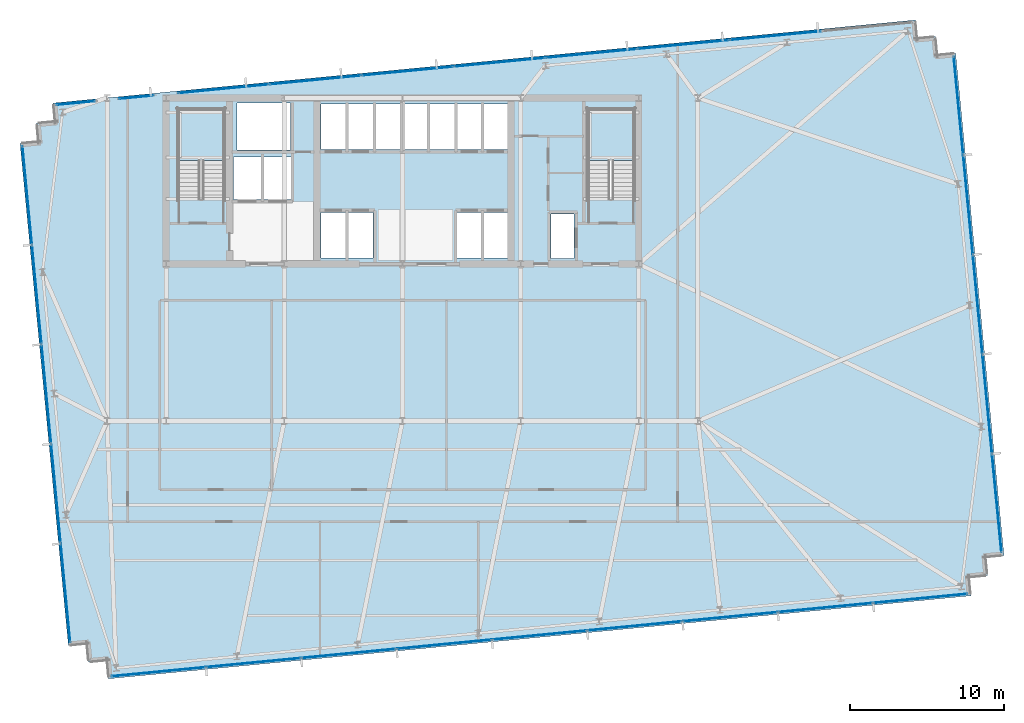
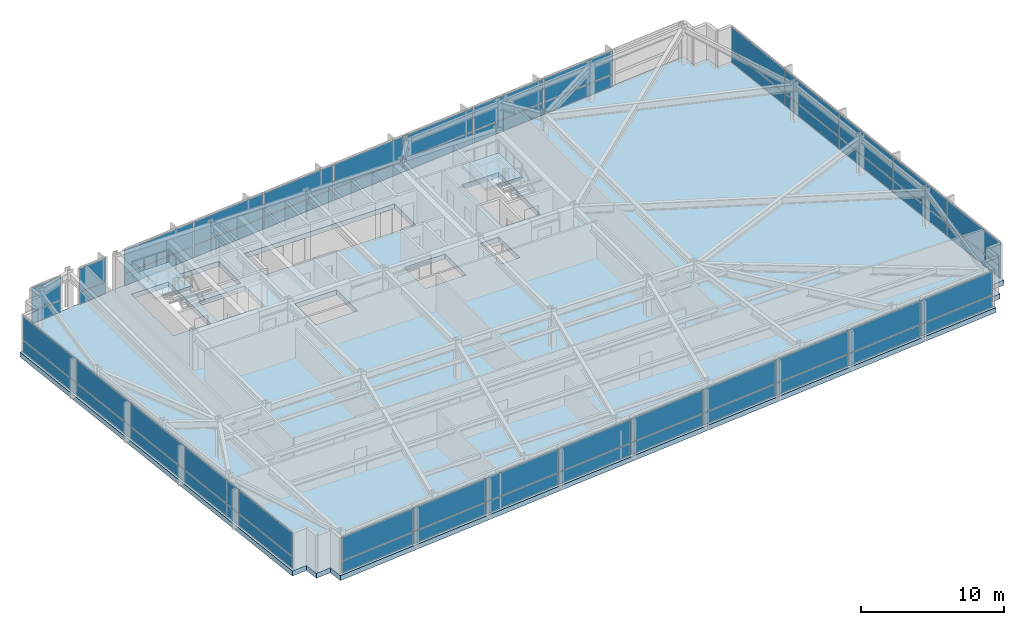
# One storey, part 24 of 33: 56 plates, 3 slabs, 8 elements without a shape of their own.
"""IFC4 building model written with IfcOpenShell, lengths in metres."""

from ifc_helpers import new_model, si_unit, direction, frame, origin, origin_2d, place, context, subcontext, project, spatial, polyline, rectangle, outline, extrude, material, layer, layer_set, type_object, element, aggregate, save


model = new_model("IFC4")

# Units and contexts
model_context = context("Model", 3, precision=1e-05, world=origin(), true_north=direction((0.0, 1.0)))
body_context = subcontext(model_context, "Body", "Model", "MODEL_VIEW")
ifc_project = project(units=[si_unit("LENGTHUNIT", "METRE"), si_unit("AREAUNIT", "SQUARE_METRE"), si_unit("VOLUMEUNIT", "CUBIC_METRE"), si_unit("PLANEANGLEUNIT", "RADIAN"), si_unit("MASSUNIT", "GRAM", prefix="KILO")], contexts=[model_context])

# Site, building, storey
site_placement = place(None, origin())
site = spatial("IfcSite", under=ifc_project, at=site_placement, CompositionType="ELEMENT")
building_placement = place(site_placement, origin())
building = spatial("IfcBuilding", under=site, at=building_placement, Name="Yelkora Congress Tower", CompositionType="ELEMENT")
storey_placement = place(building_placement, frame((0.0, 0.0, 89.699951171875)))
storey = spatial("IfcBuildingStorey", under=building, at=storey_placement, Name="L23", CompositionType="ELEMENT", Elevation=89.699951171875)

# Curtain wall, plates
ifc_material_1 = material(Name="Anodised aluminium and insulated glass", Category="aluminium")
curtain_wall_type = type_object("IfcCurtainWallType", Name="CW-SYS-SKY", PredefinedType="NOTDEFINED", material=ifc_material_1)
curtain_wall_1_placement = place(storey_placement, origin())
curtain_wall_1 = element("IfcCurtainWall", 1, at=curtain_wall_1_placement, inside=storey, type_object=curtain_wall_type, Name="L23 Unitised Curtain Wall 5", PredefinedType="NOTDEFINED")
ifc_material_2 = material(Name="Structural laminated sky-lobby glass", Category="glass")
ifc_layer_1 = layer(ifc_material_2, 0.048095703125)
ifc_layer_set_1 = layer_set([ifc_layer_1], Name="Structural laminated sky-lobby glass")
plate_type = type_object("IfcPlateType", Name="PLT-PN-SKY", PredefinedType="CURTAIN_PANEL", material=ifc_layer_set_1)
plate_1_placement = place(storey_placement, frame((16.494140625, 14.01220703125, 0.070068359375), z_axis=(0.0, 0.0, 1.0), x_axis=(-0.095842541913, 0.995396507508, 0.0)))
plate_1 = element("IfcPlate", 2, at=plate_1_placement, type_object=plate_type, Name="CW-SKY panel 1.1", PredefinedType="CURTAIN_PANEL", context=body_context, shape_type="SweptSolid", body=[
    extrude(rectangle(XDim=6.3916015625, YDim=0.048095703125, at=origin_2d()), origin(), (0.0, 0.0, 1.0), 0.9951171875),
])
plate_2_placement = place(storey_placement, frame((16.494140625, 14.01220703125, 1.135009765625), z_axis=(0.0, 0.0, 1.0), x_axis=(-0.095842541913, 0.995396507508, 0.0)))
plate_2 = element("IfcPlate", 3, at=plate_2_placement, type_object=plate_type, Name="CW-SKY panel 1.2", PredefinedType="CURTAIN_PANEL", context=body_context, shape_type="SweptSolid", body=[
    extrude(rectangle(XDim=6.3916015625, YDim=0.048095703125, at=origin_2d()), origin(), (0.0, 0.0, 1.0), 1.97509765625),
])
plate_3_placement = place(storey_placement, frame((15.87255859375, 20.467529296875, 0.070068359375), z_axis=(0.0, 0.0, 1.0), x_axis=(-0.095842541913, 0.995396507508, 0.0)))
plate_3 = element("IfcPlate", 4, at=plate_3_placement, type_object=plate_type, Name="CW-SKY panel 2.1", PredefinedType="CURTAIN_PANEL", context=body_context, shape_type="SweptSolid", body=[
    extrude(rectangle(XDim=6.428955078125, YDim=0.048095703125, at=origin_2d()), origin(), (0.0, 0.0, 1.0), 0.9951171875),
])
plate_4_placement = place(storey_placement, frame((15.87255859375, 20.467529296875, 1.135009765625), z_axis=(0.0, 0.0, 1.0), x_axis=(-0.095842541913, 0.995396507508, 0.0)))
plate_4 = element("IfcPlate", 5, at=plate_4_placement, type_object=plate_type, Name="CW-SKY panel 2.2", PredefinedType="CURTAIN_PANEL", context=body_context, shape_type="SweptSolid", body=[
    extrude(rectangle(XDim=6.428955078125, YDim=0.048095703125, at=origin_2d()), origin(), (0.0, 0.0, 1.0), 1.97509765625),
])
plate_5_placement = place(storey_placement, frame((15.249267578125, 26.941650390625, 0.070068359375), z_axis=(0.0, 0.0, 1.0), x_axis=(-0.095842541913, 0.995396507508, 0.0)))
plate_5 = element("IfcPlate", 6, at=plate_5_placement, type_object=plate_type, Name="CW-SKY panel 3.1", PredefinedType="CURTAIN_PANEL", context=body_context, shape_type="SweptSolid", body=[
    extrude(rectangle(XDim=6.428955078125, YDim=0.048095703125, at=origin_2d()), origin(), (0.0, 0.0, 1.0), 0.9951171875),
])
plate_6_placement = place(storey_placement, frame((15.249267578125, 26.941650390625, 1.135009765625), z_axis=(0.0, 0.0, 1.0), x_axis=(-0.095842541913, 0.995396507508, 0.0)))
plate_6 = element("IfcPlate", 7, at=plate_6_placement, type_object=plate_type, Name="CW-SKY panel 3.2", PredefinedType="CURTAIN_PANEL", context=body_context, shape_type="SweptSolid", body=[
    extrude(rectangle(XDim=6.428955078125, YDim=0.048095703125, at=origin_2d()), origin(), (0.0, 0.0, 1.0), 1.97509765625),
])
plate_7_placement = place(storey_placement, frame((14.6259765625, 33.41552734375, 0.070068359375), z_axis=(0.0, 0.0, 1.0), x_axis=(-0.095842541913, 0.995396507508, 0.0)))
plate_7 = element("IfcPlate", 8, at=plate_7_placement, type_object=plate_type, Name="CW-SKY panel 4.1", PredefinedType="CURTAIN_PANEL", context=body_context, shape_type="SweptSolid", body=[
    extrude(rectangle(XDim=6.428955078125, YDim=0.048095703125, at=origin_2d()), origin(), (0.0, 0.0, 1.0), 0.9951171875),
])
plate_8_placement = place(storey_placement, frame((14.6259765625, 33.41552734375, 1.135009765625), z_axis=(0.0, 0.0, 1.0), x_axis=(-0.095842541913, 0.995396507508, 0.0)))
plate_8 = element("IfcPlate", 9, at=plate_8_placement, type_object=plate_type, Name="CW-SKY panel 4.2", PredefinedType="CURTAIN_PANEL", context=body_context, shape_type="SweptSolid", body=[
    extrude(rectangle(XDim=6.428955078125, YDim=0.048095703125, at=origin_2d()), origin(), (0.0, 0.0, 1.0), 1.97509765625),
])
plate_9_placement = place(storey_placement, frame((14.00439453125, 39.87109375, 0.070068359375), z_axis=(0.0, 0.0, 1.0), x_axis=(-0.095842541913, 0.995396507508, 0.0)))
plate_9 = element("IfcPlate", 10, at=plate_9_placement, type_object=plate_type, Name="CW-SKY panel 5.1", PredefinedType="CURTAIN_PANEL", context=body_context, shape_type="SweptSolid", body=[
    extrude(rectangle(XDim=6.3916015625, YDim=0.048095703125, at=origin_2d()), origin(), (0.0, 0.0, 1.0), 0.9951171875),
])
plate_10_placement = place(storey_placement, frame((14.00439453125, 39.87109375, 1.135009765625), z_axis=(0.0, 0.0, 1.0), x_axis=(-0.095842541913, 0.995396507508, 0.0)))
plate_10 = element("IfcPlate", 11, at=plate_10_placement, type_object=plate_type, Name="CW-SKY panel 5.2", PredefinedType="CURTAIN_PANEL", context=body_context, shape_type="SweptSolid", body=[
    extrude(rectangle(XDim=6.3916015625, YDim=0.048095703125, at=origin_2d()), origin(), (0.0, 0.0, 1.0), 1.97509765625),
])
aggregate(curtain_wall_1, [plate_1, plate_2, plate_3, plate_4, plate_5, plate_6, plate_7, plate_8, plate_9, plate_10])

curtain_wall_2_placement = place(storey_placement, origin())
curtain_wall_2 = element("IfcCurtainWall", 12, at=curtain_wall_2_placement, inside=storey, type_object=curtain_wall_type, Name="L23 Unitised Curtain Wall 10 (1)", PredefinedType="NOTDEFINED")
plate_11_placement = place(storey_placement, frame((17.164794921875, 45.872314453125, 0.070068359375), z_axis=(0.0, 0.0, 1.0), x_axis=(0.995398344772, 0.095823458635, 0.0)))
plate_11 = element("IfcPlate", 13, at=plate_11_placement, type_object=plate_type, Name="CW-SKY panel 1.1", PredefinedType="CURTAIN_PANEL", context=body_context, shape_type="SweptSolid", body=[
    extrude(rectangle(XDim=2.492431640625, YDim=0.048095703125, at=origin_2d()), origin(), (0.0, 0.0, 1.0), 0.9951171875),
])
plate_12_placement = place(storey_placement, frame((17.164794921875, 45.872314453125, 1.135009765625), z_axis=(0.0, 0.0, 1.0), x_axis=(0.995398344772, 0.095823458635, 0.0)))
plate_12 = element("IfcPlate", 14, at=plate_12_placement, type_object=plate_type, Name="CW-SKY panel 1.2", PredefinedType="CURTAIN_PANEL", context=body_context, shape_type="SweptSolid", body=[
    extrude(rectangle(XDim=2.492431640625, YDim=0.048095703125, at=origin_2d()), origin(), (0.0, 0.0, 1.0), 1.97509765625),
])
aggregate(curtain_wall_2, [plate_11, plate_12])

curtain_wall_3_placement = place(storey_placement, origin())
curtain_wall_3 = element("IfcCurtainWall", 15, at=curtain_wall_3_placement, inside=storey, type_object=curtain_wall_type, Name="L23 Unitised Curtain Wall 10 (2)", PredefinedType="NOTDEFINED")
plate_13_placement = place(storey_placement, frame((21.1201171875, 46.253173828125, 0.070068359375), z_axis=(0.0, 0.0, 1.0), x_axis=(0.9953959497, 0.09584833499, 0.0)))
plate_13 = element("IfcPlate", 16, at=plate_13_placement, type_object=plate_type, Name="CW-SKY panel 1.1", PredefinedType="CURTAIN_PANEL", context=body_context, shape_type="SweptSolid", body=[
    extrude(rectangle(XDim=2.260986328125, YDim=0.048095703125, at=origin_2d()), origin(), (0.0, 0.0, 1.0), 0.9951171875),
])
plate_14_placement = place(storey_placement, frame((21.1201171875, 46.253173828125, 1.135009765625), z_axis=(0.0, 0.0, 1.0), x_axis=(0.9953959497, 0.09584833499, 0.0)))
plate_14 = element("IfcPlate", 17, at=plate_14_placement, type_object=plate_type, Name="CW-SKY panel 1.2", PredefinedType="CURTAIN_PANEL", context=body_context, shape_type="SweptSolid", body=[
    extrude(rectangle(XDim=2.260986328125, YDim=0.048095703125, at=origin_2d()), origin(), (0.0, 0.0, 1.0), 1.97509765625),
])
aggregate(curtain_wall_3, [plate_13, plate_14])

curtain_wall_4_placement = place(storey_placement, origin())
curtain_wall_4 = element("IfcCurtainWall", 18, at=curtain_wall_4_placement, inside=storey, type_object=curtain_wall_type, Name="L23 Unitised Curtain Wall 10 (3)", PredefinedType="NOTDEFINED")
plate_15_placement = place(storey_placement, frame((26.769287109375, 46.797119140625, 0.070068359375), z_axis=(0.0, 0.0, 1.0), x_axis=(0.995396225964, 0.095845465919, 0.0)))
plate_15 = element("IfcPlate", 19, at=plate_15_placement, type_object=plate_type, Name="CW-SKY panel 1.1", PredefinedType="CURTAIN_PANEL", context=body_context, shape_type="SweptSolid", body=[
    extrude(rectangle(XDim=5.896728515625, YDim=0.048095703125, at=origin_2d()), origin(), (0.0, 0.0, 1.0), 0.9951171875),
])
plate_16_placement = place(storey_placement, frame((26.769287109375, 46.797119140625, 1.135009765625), z_axis=(0.0, 0.0, 1.0), x_axis=(0.995396225964, 0.095845465919, 0.0)))
plate_16 = element("IfcPlate", 20, at=plate_16_placement, type_object=plate_type, Name="CW-SKY panel 1.2", PredefinedType="CURTAIN_PANEL", context=body_context, shape_type="SweptSolid", body=[
    extrude(rectangle(XDim=5.896728515625, YDim=0.048095703125, at=origin_2d()), origin(), (0.0, 0.0, 1.0), 1.97509765625),
])
plate_17_placement = place(storey_placement, frame((32.732177734375, 47.371337890625, 0.070068359375), z_axis=(0.0, 0.0, 1.0), x_axis=(0.995396225964, 0.095845465919, 0.0)))
plate_17 = element("IfcPlate", 21, at=plate_17_placement, type_object=plate_type, Name="CW-SKY panel 2.1", PredefinedType="CURTAIN_PANEL", context=body_context, shape_type="SweptSolid", body=[
    extrude(rectangle(XDim=5.93408203125, YDim=0.048095703125, at=origin_2d()), origin(), (0.0, 0.0, 1.0), 0.9951171875),
])
plate_18_placement = place(storey_placement, frame((32.732177734375, 47.371337890625, 1.135009765625), z_axis=(0.0, 0.0, 1.0), x_axis=(0.995396225964, 0.095845465919, 0.0)))
plate_18 = element("IfcPlate", 22, at=plate_18_placement, type_object=plate_type, Name="CW-SKY panel 2.2", PredefinedType="CURTAIN_PANEL", context=body_context, shape_type="SweptSolid", body=[
    extrude(rectangle(XDim=5.93408203125, YDim=0.048095703125, at=origin_2d()), origin(), (0.0, 0.0, 1.0), 1.97509765625),
])
plate_19_placement = place(storey_placement, frame((38.713623046875, 47.947265625, 0.070068359375), z_axis=(0.0, 0.0, 1.0), x_axis=(0.995396225964, 0.095845465919, 0.0)))
plate_19 = element("IfcPlate", 23, at=plate_19_placement, type_object=plate_type, Name="CW-SKY panel 3.1", PredefinedType="CURTAIN_PANEL", context=body_context, shape_type="SweptSolid", body=[
    extrude(rectangle(XDim=5.93408203125, YDim=0.048095703125, at=origin_2d()), origin(), (0.0, 0.0, 1.0), 0.9951171875),
])
plate_20_placement = place(storey_placement, frame((38.713623046875, 47.947265625, 1.135009765625), z_axis=(0.0, 0.0, 1.0), x_axis=(0.995396225964, 0.095845465919, 0.0)))
plate_20 = element("IfcPlate", 24, at=plate_20_placement, type_object=plate_type, Name="CW-SKY panel 3.2", PredefinedType="CURTAIN_PANEL", context=body_context, shape_type="SweptSolid", body=[
    extrude(rectangle(XDim=5.93408203125, YDim=0.048095703125, at=origin_2d()), origin(), (0.0, 0.0, 1.0), 1.97509765625),
])
plate_21_placement = place(storey_placement, frame((44.6953125, 48.523193359375, 0.070068359375), z_axis=(0.0, 0.0, 1.0), x_axis=(0.995396225964, 0.095845465919, 0.0)))
plate_21 = element("IfcPlate", 25, at=plate_21_placement, type_object=plate_type, Name="CW-SKY panel 4.1", PredefinedType="CURTAIN_PANEL", context=body_context, shape_type="SweptSolid", body=[
    extrude(rectangle(XDim=5.93408203125, YDim=0.048095703125, at=origin_2d()), origin(), (0.0, 0.0, 1.0), 0.9951171875),
])
plate_22_placement = place(storey_placement, frame((44.6953125, 48.523193359375, 1.135009765625), z_axis=(0.0, 0.0, 1.0), x_axis=(0.995396225964, 0.095845465919, 0.0)))
plate_22 = element("IfcPlate", 26, at=plate_22_placement, type_object=plate_type, Name="CW-SKY panel 4.2", PredefinedType="CURTAIN_PANEL", context=body_context, shape_type="SweptSolid", body=[
    extrude(rectangle(XDim=5.93408203125, YDim=0.048095703125, at=origin_2d()), origin(), (0.0, 0.0, 1.0), 1.97509765625),
])
plate_23_placement = place(storey_placement, frame((50.6767578125, 49.09912109375, 0.070068359375), z_axis=(0.0, 0.0, 1.0), x_axis=(0.995396225964, 0.095845465919, 0.0)))
plate_23 = element("IfcPlate", 27, at=plate_23_placement, type_object=plate_type, Name="CW-SKY panel 5.1", PredefinedType="CURTAIN_PANEL", context=body_context, shape_type="SweptSolid", body=[
    extrude(rectangle(XDim=5.93408203125, YDim=0.048095703125, at=origin_2d()), origin(), (0.0, 0.0, 1.0), 0.9951171875),
])
plate_24_placement = place(storey_placement, frame((50.6767578125, 49.09912109375, 1.135009765625), z_axis=(0.0, 0.0, 1.0), x_axis=(0.995396225964, 0.095845465919, 0.0)))
plate_24 = element("IfcPlate", 28, at=plate_24_placement, type_object=plate_type, Name="CW-SKY panel 5.2", PredefinedType="CURTAIN_PANEL", context=body_context, shape_type="SweptSolid", body=[
    extrude(rectangle(XDim=5.93408203125, YDim=0.048095703125, at=origin_2d()), origin(), (0.0, 0.0, 1.0), 1.97509765625),
])
plate_25_placement = place(storey_placement, frame((56.658203125, 49.675048828125, 0.070068359375), z_axis=(0.0, 0.0, 1.0), x_axis=(0.995396225964, 0.095845465919, 0.0)))
plate_25 = element("IfcPlate", 29, at=plate_25_placement, type_object=plate_type, Name="CW-SKY panel 6.1", PredefinedType="CURTAIN_PANEL", context=body_context, shape_type="SweptSolid", body=[
    extrude(rectangle(XDim=5.93408203125, YDim=0.048095703125, at=origin_2d()), origin(), (0.0, 0.0, 1.0), 0.9951171875),
])
plate_26_placement = place(storey_placement, frame((56.658203125, 49.675048828125, 1.135009765625), z_axis=(0.0, 0.0, 1.0), x_axis=(0.995396225964, 0.095845465919, 0.0)))
plate_26 = element("IfcPlate", 30, at=plate_26_placement, type_object=plate_type, Name="CW-SKY panel 6.2", PredefinedType="CURTAIN_PANEL", context=body_context, shape_type="SweptSolid", body=[
    extrude(rectangle(XDim=5.93408203125, YDim=0.048095703125, at=origin_2d()), origin(), (0.0, 0.0, 1.0), 1.97509765625),
])
plate_27_placement = place(storey_placement, frame((62.6396484375, 50.2509765625, 0.070068359375), z_axis=(0.0, 0.0, 1.0), x_axis=(0.995396225964, 0.095845465919, 0.0)))
plate_27 = element("IfcPlate", 31, at=plate_27_placement, type_object=plate_type, Name="CW-SKY panel 7.1", PredefinedType="CURTAIN_PANEL", context=body_context, shape_type="SweptSolid", body=[
    extrude(rectangle(XDim=5.93408203125, YDim=0.048095703125, at=origin_2d()), origin(), (0.0, 0.0, 1.0), 0.9951171875),
])
plate_28_placement = place(storey_placement, frame((62.6396484375, 50.2509765625, 1.135009765625), z_axis=(0.0, 0.0, 1.0), x_axis=(0.995396225964, 0.095845465919, 0.0)))
plate_28 = element("IfcPlate", 32, at=plate_28_placement, type_object=plate_type, Name="CW-SKY panel 7.2", PredefinedType="CURTAIN_PANEL", context=body_context, shape_type="SweptSolid", body=[
    extrude(rectangle(XDim=5.93408203125, YDim=0.048095703125, at=origin_2d()), origin(), (0.0, 0.0, 1.0), 1.97509765625),
])
aggregate(curtain_wall_4, [plate_15, plate_16, plate_17, plate_18, plate_19, plate_20, plate_21, plate_22, plate_23, plate_24, plate_25, plate_26, plate_27, plate_28])

curtain_wall_5_placement = place(storey_placement, origin())
curtain_wall_5 = element("IfcCurtainWall", 33, at=curtain_wall_5_placement, inside=storey, type_object=curtain_wall_type, Name="L23 Unitised Curtain Wall 15", PredefinedType="NOTDEFINED")
plate_29_placement = place(storey_placement, frame((74.54443359375, 45.7001953125, 0.070068359375), z_axis=(0.0, 0.0, 1.0), x_axis=(0.095842541913, -0.995396507508, 0.0)))
plate_29 = element("IfcPlate", 34, at=plate_29_placement, type_object=plate_type, Name="CW-SKY panel 1.1", PredefinedType="CURTAIN_PANEL", context=body_context, shape_type="SweptSolid", body=[
    extrude(rectangle(XDim=6.3916015625, YDim=0.048095703125, at=origin_2d()), origin(), (0.0, 0.0, 1.0), 0.9951171875),
])
plate_30_placement = place(storey_placement, frame((74.54443359375, 45.7001953125, 1.135009765625), z_axis=(0.0, 0.0, 1.0), x_axis=(0.095842541913, -0.995396507508, 0.0)))
plate_30 = element("IfcPlate", 35, at=plate_30_placement, type_object=plate_type, Name="CW-SKY panel 1.2", PredefinedType="CURTAIN_PANEL", context=body_context, shape_type="SweptSolid", body=[
    extrude(rectangle(XDim=6.3916015625, YDim=0.048095703125, at=origin_2d()), origin(), (0.0, 0.0, 1.0), 1.97509765625),
])
plate_31_placement = place(storey_placement, frame((75.166015625, 39.244873046875, 0.070068359375), z_axis=(0.0, 0.0, 1.0), x_axis=(0.095842541913, -0.995396507508, 0.0)))
plate_31 = element("IfcPlate", 36, at=plate_31_placement, type_object=plate_type, Name="CW-SKY panel 2.1", PredefinedType="CURTAIN_PANEL", context=body_context, shape_type="SweptSolid", body=[
    extrude(rectangle(XDim=6.428955078125, YDim=0.048095703125, at=origin_2d()), origin(), (0.0, 0.0, 1.0), 0.9951171875),
])
plate_32_placement = place(storey_placement, frame((75.166015625, 39.244873046875, 1.135009765625), z_axis=(0.0, 0.0, 1.0), x_axis=(0.095842541913, -0.995396507508, 0.0)))
plate_32 = element("IfcPlate", 37, at=plate_32_placement, type_object=plate_type, Name="CW-SKY panel 2.2", PredefinedType="CURTAIN_PANEL", context=body_context, shape_type="SweptSolid", body=[
    extrude(rectangle(XDim=6.428955078125, YDim=0.048095703125, at=origin_2d()), origin(), (0.0, 0.0, 1.0), 1.97509765625),
])
plate_33_placement = place(storey_placement, frame((75.789306640625, 32.770751953125, 0.070068359375), z_axis=(0.0, 0.0, 1.0), x_axis=(0.095842541913, -0.995396507508, 0.0)))
plate_33 = element("IfcPlate", 38, at=plate_33_placement, type_object=plate_type, Name="CW-SKY panel 3.1", PredefinedType="CURTAIN_PANEL", context=body_context, shape_type="SweptSolid", body=[
    extrude(rectangle(XDim=6.428955078125, YDim=0.048095703125, at=origin_2d()), origin(), (0.0, 0.0, 1.0), 0.9951171875),
])
plate_34_placement = place(storey_placement, frame((75.789306640625, 32.770751953125, 1.135009765625), z_axis=(0.0, 0.0, 1.0), x_axis=(0.095842541913, -0.995396507508, 0.0)))
plate_34 = element("IfcPlate", 39, at=plate_34_placement, type_object=plate_type, Name="CW-SKY panel 3.2", PredefinedType="CURTAIN_PANEL", context=body_context, shape_type="SweptSolid", body=[
    extrude(rectangle(XDim=6.428955078125, YDim=0.048095703125, at=origin_2d()), origin(), (0.0, 0.0, 1.0), 1.97509765625),
])
plate_35_placement = place(storey_placement, frame((76.41259765625, 26.296875, 0.070068359375), z_axis=(0.0, 0.0, 1.0), x_axis=(0.095842541913, -0.995396507508, 0.0)))
plate_35 = element("IfcPlate", 40, at=plate_35_placement, type_object=plate_type, Name="CW-SKY panel 4.1", PredefinedType="CURTAIN_PANEL", context=body_context, shape_type="SweptSolid", body=[
    extrude(rectangle(XDim=6.428955078125, YDim=0.048095703125, at=origin_2d()), origin(), (0.0, 0.0, 1.0), 0.9951171875),
])
plate_36_placement = place(storey_placement, frame((76.41259765625, 26.296875, 1.135009765625), z_axis=(0.0, 0.0, 1.0), x_axis=(0.095842541913, -0.995396507508, 0.0)))
plate_36 = element("IfcPlate", 41, at=plate_36_placement, type_object=plate_type, Name="CW-SKY panel 4.2", PredefinedType="CURTAIN_PANEL", context=body_context, shape_type="SweptSolid", body=[
    extrude(rectangle(XDim=6.428955078125, YDim=0.048095703125, at=origin_2d()), origin(), (0.0, 0.0, 1.0), 1.97509765625),
])
plate_37_placement = place(storey_placement, frame((77.0341796875, 19.84130859375, 0.070068359375), z_axis=(0.0, 0.0, 1.0), x_axis=(0.095842541913, -0.995396507508, 0.0)))
plate_37 = element("IfcPlate", 42, at=plate_37_placement, type_object=plate_type, Name="CW-SKY panel 5.1", PredefinedType="CURTAIN_PANEL", context=body_context, shape_type="SweptSolid", body=[
    extrude(rectangle(XDim=6.3916015625, YDim=0.048095703125, at=origin_2d()), origin(), (0.0, 0.0, 1.0), 0.9951171875),
])
plate_38_placement = place(storey_placement, frame((77.0341796875, 19.84130859375, 1.135009765625), z_axis=(0.0, 0.0, 1.0), x_axis=(0.095842541913, -0.995396507508, 0.0)))
plate_38 = element("IfcPlate", 43, at=plate_38_placement, type_object=plate_type, Name="CW-SKY panel 5.2", PredefinedType="CURTAIN_PANEL", context=body_context, shape_type="SweptSolid", body=[
    extrude(rectangle(XDim=6.3916015625, YDim=0.048095703125, at=origin_2d()), origin(), (0.0, 0.0, 1.0), 1.97509765625),
])
aggregate(curtain_wall_5, [plate_29, plate_30, plate_31, plate_32, plate_33, plate_34, plate_35, plate_36, plate_37, plate_38])

curtain_wall_6_placement = place(storey_placement, origin())
curtain_wall_6 = element("IfcCurtainWall", 44, at=curtain_wall_6_placement, inside=storey, type_object=curtain_wall_type, Name="L23 Unitised Curtain Wall 20", PredefinedType="NOTDEFINED")
plate_39_placement = place(storey_placement, frame((72.072265625, 13.66650390625, 0.070068359375), z_axis=(0.0, 0.0, 1.0), x_axis=(-0.995396333816, -0.095844345816, 0.0)))
plate_39 = element("IfcPlate", 45, at=plate_39_placement, type_object=plate_type, Name="CW-SKY panel 1.1", PredefinedType="CURTAIN_PANEL", context=body_context, shape_type="SweptSolid", body=[
    extrude(rectangle(XDim=6.112060546875, YDim=0.048095703125, at=origin_2d()), origin(), (0.0, 0.0, 1.0), 0.9951171875),
])
plate_40_placement = place(storey_placement, frame((72.072265625, 13.66650390625, 1.135009765625), z_axis=(0.0, 0.0, 1.0), x_axis=(-0.995396333816, -0.095844345816, 0.0)))
plate_40 = element("IfcPlate", 46, at=plate_40_placement, type_object=plate_type, Name="CW-SKY panel 1.2", PredefinedType="CURTAIN_PANEL", context=body_context, shape_type="SweptSolid", body=[
    extrude(rectangle(XDim=6.112060546875, YDim=0.048095703125, at=origin_2d()), origin(), (0.0, 0.0, 1.0), 1.97509765625),
])
plate_41_placement = place(storey_placement, frame((65.89501953125, 13.07177734375, 0.070068359375), z_axis=(0.0, 0.0, 1.0), x_axis=(-0.995396333816, -0.095844345816, 0.0)))
plate_41 = element("IfcPlate", 47, at=plate_41_placement, type_object=plate_type, Name="CW-SKY panel 2.1", PredefinedType="CURTAIN_PANEL", context=body_context, shape_type="SweptSolid", body=[
    extrude(rectangle(XDim=6.1494140625, YDim=0.048095703125, at=origin_2d()), origin(), (0.0, 0.0, 1.0), 0.9951171875),
])
plate_42_placement = place(storey_placement, frame((65.89501953125, 13.07177734375, 1.135009765625), z_axis=(0.0, 0.0, 1.0), x_axis=(-0.995396333816, -0.095844345816, 0.0)))
plate_42 = element("IfcPlate", 48, at=plate_42_placement, type_object=plate_type, Name="CW-SKY panel 2.2", PredefinedType="CURTAIN_PANEL", context=body_context, shape_type="SweptSolid", body=[
    extrude(rectangle(XDim=6.1494140625, YDim=0.048095703125, at=origin_2d()), origin(), (0.0, 0.0, 1.0), 1.97509765625),
])
plate_43_placement = place(storey_placement, frame((59.69921875, 12.475341796875, 0.070068359375), z_axis=(0.0, 0.0, 1.0), x_axis=(-0.995396333816, -0.095844345816, 0.0)))
plate_43 = element("IfcPlate", 49, at=plate_43_placement, type_object=plate_type, Name="CW-SKY panel 3.1", PredefinedType="CURTAIN_PANEL", context=body_context, shape_type="SweptSolid", body=[
    extrude(rectangle(XDim=6.1494140625, YDim=0.048095703125, at=origin_2d()), origin(), (0.0, 0.0, 1.0), 0.9951171875),
])
plate_44_placement = place(storey_placement, frame((59.69921875, 12.475341796875, 1.135009765625), z_axis=(0.0, 0.0, 1.0), x_axis=(-0.995396333816, -0.095844345816, 0.0)))
plate_44 = element("IfcPlate", 50, at=plate_44_placement, type_object=plate_type, Name="CW-SKY panel 3.2", PredefinedType="CURTAIN_PANEL", context=body_context, shape_type="SweptSolid", body=[
    extrude(rectangle(XDim=6.1494140625, YDim=0.048095703125, at=origin_2d()), origin(), (0.0, 0.0, 1.0), 1.97509765625),
])
plate_45_placement = place(storey_placement, frame((53.50341796875, 11.878662109375, 0.070068359375), z_axis=(0.0, 0.0, 1.0), x_axis=(-0.995396333816, -0.095844345816, 0.0)))
plate_45 = element("IfcPlate", 51, at=plate_45_placement, type_object=plate_type, Name="CW-SKY panel 4.1", PredefinedType="CURTAIN_PANEL", context=body_context, shape_type="SweptSolid", body=[
    extrude(rectangle(XDim=6.1494140625, YDim=0.048095703125, at=origin_2d()), origin(), (0.0, 0.0, 1.0), 0.9951171875),
])
plate_46_placement = place(storey_placement, frame((53.50341796875, 11.878662109375, 1.135009765625), z_axis=(0.0, 0.0, 1.0), x_axis=(-0.995396333816, -0.095844345816, 0.0)))
plate_46 = element("IfcPlate", 52, at=plate_46_placement, type_object=plate_type, Name="CW-SKY panel 4.2", PredefinedType="CURTAIN_PANEL", context=body_context, shape_type="SweptSolid", body=[
    extrude(rectangle(XDim=6.1494140625, YDim=0.048095703125, at=origin_2d()), origin(), (0.0, 0.0, 1.0), 1.97509765625),
])
plate_47_placement = place(storey_placement, frame((47.307861328125, 11.281982421875, 0.070068359375), z_axis=(0.0, 0.0, 1.0), x_axis=(-0.995396333816, -0.095844345816, 0.0)))
plate_47 = element("IfcPlate", 53, at=plate_47_placement, type_object=plate_type, Name="CW-SKY panel 5.1", PredefinedType="CURTAIN_PANEL", context=body_context, shape_type="SweptSolid", body=[
    extrude(rectangle(XDim=6.1494140625, YDim=0.048095703125, at=origin_2d()), origin(), (0.0, 0.0, 1.0), 0.9951171875),
])
plate_48_placement = place(storey_placement, frame((47.307861328125, 11.281982421875, 1.135009765625), z_axis=(0.0, 0.0, 1.0), x_axis=(-0.995396333816, -0.095844345816, 0.0)))
plate_48 = element("IfcPlate", 54, at=plate_48_placement, type_object=plate_type, Name="CW-SKY panel 5.2", PredefinedType="CURTAIN_PANEL", context=body_context, shape_type="SweptSolid", body=[
    extrude(rectangle(XDim=6.1494140625, YDim=0.048095703125, at=origin_2d()), origin(), (0.0, 0.0, 1.0), 1.97509765625),
])
plate_49_placement = place(storey_placement, frame((41.112060546875, 10.685546875, 0.070068359375), z_axis=(0.0, 0.0, 1.0), x_axis=(-0.995396333816, -0.095844345816, 0.0)))
plate_49 = element("IfcPlate", 55, at=plate_49_placement, type_object=plate_type, Name="CW-SKY panel 6.1", PredefinedType="CURTAIN_PANEL", context=body_context, shape_type="SweptSolid", body=[
    extrude(rectangle(XDim=6.1494140625, YDim=0.048095703125, at=origin_2d()), origin(), (0.0, 0.0, 1.0), 0.9951171875),
])
plate_50_placement = place(storey_placement, frame((41.112060546875, 10.685546875, 1.135009765625), z_axis=(0.0, 0.0, 1.0), x_axis=(-0.995396333816, -0.095844345816, 0.0)))
plate_50 = element("IfcPlate", 56, at=plate_50_placement, type_object=plate_type, Name="CW-SKY panel 6.2", PredefinedType="CURTAIN_PANEL", context=body_context, shape_type="SweptSolid", body=[
    extrude(rectangle(XDim=6.1494140625, YDim=0.048095703125, at=origin_2d()), origin(), (0.0, 0.0, 1.0), 1.97509765625),
])
plate_51_placement = place(storey_placement, frame((34.916259765625, 10.0888671875, 0.070068359375), z_axis=(0.0, 0.0, 1.0), x_axis=(-0.995396333816, -0.095844345816, 0.0)))
plate_51 = element("IfcPlate", 57, at=plate_51_placement, type_object=plate_type, Name="CW-SKY panel 7.1", PredefinedType="CURTAIN_PANEL", context=body_context, shape_type="SweptSolid", body=[
    extrude(rectangle(XDim=6.1494140625, YDim=0.048095703125, at=origin_2d()), origin(), (0.0, 0.0, 1.0), 0.9951171875),
])
plate_52_placement = place(storey_placement, frame((34.916259765625, 10.0888671875, 1.135009765625), z_axis=(0.0, 0.0, 1.0), x_axis=(-0.995396333816, -0.095844345816, 0.0)))
plate_52 = element("IfcPlate", 58, at=plate_52_placement, type_object=plate_type, Name="CW-SKY panel 7.2", PredefinedType="CURTAIN_PANEL", context=body_context, shape_type="SweptSolid", body=[
    extrude(rectangle(XDim=6.1494140625, YDim=0.048095703125, at=origin_2d()), origin(), (0.0, 0.0, 1.0), 1.97509765625),
])
plate_53_placement = place(storey_placement, frame((28.720458984375, 9.492431640625, 0.070068359375), z_axis=(0.0, 0.0, 1.0), x_axis=(-0.995396333816, -0.095844345816, 0.0)))
plate_53 = element("IfcPlate", 59, at=plate_53_placement, type_object=plate_type, Name="CW-SKY panel 8.1", PredefinedType="CURTAIN_PANEL", context=body_context, shape_type="SweptSolid", body=[
    extrude(rectangle(XDim=6.1494140625, YDim=0.048095703125, at=origin_2d()), origin(), (0.0, 0.0, 1.0), 0.9951171875),
])
plate_54_placement = place(storey_placement, frame((28.720458984375, 9.492431640625, 1.135009765625), z_axis=(0.0, 0.0, 1.0), x_axis=(-0.995396333816, -0.095844345816, 0.0)))
plate_54 = element("IfcPlate", 60, at=plate_54_placement, type_object=plate_type, Name="CW-SKY panel 8.2", PredefinedType="CURTAIN_PANEL", context=body_context, shape_type="SweptSolid", body=[
    extrude(rectangle(XDim=6.1494140625, YDim=0.048095703125, at=origin_2d()), origin(), (0.0, 0.0, 1.0), 1.97509765625),
])
plate_55_placement = place(storey_placement, frame((22.543212890625, 8.897705078125, 0.070068359375), z_axis=(0.0, 0.0, 1.0), x_axis=(-0.995396333816, -0.095844345816, 0.0)))
plate_55 = element("IfcPlate", 61, at=plate_55_placement, type_object=plate_type, Name="CW-SKY panel 9.1", PredefinedType="CURTAIN_PANEL", context=body_context, shape_type="SweptSolid", body=[
    extrude(rectangle(XDim=6.112060546875, YDim=0.048095703125, at=origin_2d()), origin(), (0.0, 0.0, 1.0), 0.9951171875),
])
plate_56_placement = place(storey_placement, frame((22.543212890625, 8.897705078125, 1.135009765625), z_axis=(0.0, 0.0, 1.0), x_axis=(-0.995396333816, -0.095844345816, 0.0)))
plate_56 = element("IfcPlate", 62, at=plate_56_placement, type_object=plate_type, Name="CW-SKY panel 9.2", PredefinedType="CURTAIN_PANEL", context=body_context, shape_type="SweptSolid", body=[
    extrude(rectangle(XDim=6.112060546875, YDim=0.048095703125, at=origin_2d()), origin(), (0.0, 0.0, 1.0), 1.97509765625),
])
aggregate(curtain_wall_6, [plate_39, plate_40, plate_41, plate_42, plate_43, plate_44, plate_45, plate_46, plate_47, plate_48, plate_49, plate_50, plate_51, plate_52, plate_53, plate_54, plate_55, plate_56])

# Stair, slab
ifc_material_3 = material(Name="Concrete C40/50", Category="concrete")
stair_type = type_object("IfcStairType", Name="STAIR-HT-1420-R20-170", PredefinedType="HALF_TURN_STAIR", material=ifc_material_3)
stair_1_placement = place(storey_placement, origin())
stair_1 = element("IfcStair", 63, at=stair_1_placement, inside=storey, type_object=stair_type, Name="West Core Protected Exit Stair ST-01 (L23)", PredefinedType="HALF_TURN_STAIR")
ifc_layer_2 = layer(ifc_material_3, 0.219970703125)
ifc_layer_set_2 = layer_set([ifc_layer_2], Name="Concrete C40/50")
slab_type_1 = type_object("IfcSlabType", Name="SLAB-LANDING-220", PredefinedType="LANDING", material=ifc_layer_set_2)
slab_1_placement = place(storey_placement, frame((0.0, 0.0, 1.47998046875)))
slab_1 = element("IfcSlab", 64, at=slab_1_placement, type_object=slab_type_1, Name="ST-01 L23 Half Landing 1", PredefinedType="LANDING", context=body_context, shape_type="SweptSolid", body=[
    extrude(outline(polyline([(26.820068359375, 42.1201171875), (26.820068359375, 45.469970703125), (23.820068359375, 45.469970703125), (23.820068359375, 42.1201171875), (26.820068359375, 42.1201171875)])), origin(), (0.0, 0.0, 1.0), 0.219970703125),
])
aggregate(stair_1, [slab_1])

stair_2_placement = place(storey_placement, origin())
stair_2 = element("IfcStair", 65, at=stair_2_placement, inside=storey, type_object=stair_type, Name="East Core Protected Exit Stair ST-02 (L23)", PredefinedType="HALF_TURN_STAIR")
slab_2_placement = place(storey_placement, frame((0.0, 0.0, 1.47998046875)))
slab_2 = element("IfcSlab", 66, at=slab_2_placement, type_object=slab_type_1, Name="ST-02 L23 Half Landing 1", PredefinedType="LANDING", context=body_context, shape_type="SweptSolid", body=[
    extrude(outline(polyline([(53.4599609375, 42.1201171875), (53.4599609375, 45.469970703125), (50.4599609375, 45.469970703125), (50.4599609375, 42.1201171875), (53.4599609375, 42.1201171875)])), origin(), (0.0, 0.0, 1.0), 0.219970703125),
])
aggregate(stair_2, [slab_2])

# Slab
ifc_material_4 = material(Name="Concrete C60/75", Category="concrete")
ifc_layer_3 = layer(ifc_material_4, 0.419921875)
ifc_layer_set_3 = layer_set([ifc_layer_3], Name="Concrete C60/75")
slab_type_2 = type_object("IfcSlabType", Name="SLAB-XFER-420", PredefinedType="FLOOR", material=ifc_layer_set_3)
slab_3_placement = place(storey_placement, frame((0.0, 0.0, -0.419921875)))
element("IfcSlab", 67, at=slab_3_placement, inside=storey, type_object=slab_type_2, Name="L23 Structural Floor Slab", PredefinedType="FLOOR", context=body_context, shape_type="SweptSolid", body=[
    extrude(outline(polyline([(19.30078125, 8.444580078125), (75.341552734375, 13.8408203125), (75.2265625, 15.035400390625), (76.421142578125, 15.150390625), (76.30615234375, 16.3447265625), (77.50048828125, 16.459716796875), (74.356689453125, 49.10888671875), (73.162353515625, 48.99365234375), (73.04736328125, 50.188232421875), (71.852783203125, 50.0732421875), (71.73779296875, 51.267578125), (15.697021484375, 45.87158203125), (15.81201171875, 44.677001953125), (14.61767578125, 44.56201171875), (14.732666015625, 43.36767578125), (13.5380859375, 43.252685546875), (16.681884765625, 10.603515625), (17.876220703125, 10.718505859375), (17.9912109375, 9.524169921875), (19.185791015625, 9.63916015625), (19.30078125, 8.444580078125)]), holes=[polyline([(23.820068359375, 39.6298828125), (26.820068359375, 39.6298828125), (26.820068359375, 45.469970703125), (23.820068359375, 45.469970703125), (23.820068359375, 39.6298828125)]), polyline([(50.4599609375, 39.6298828125), (53.4599609375, 39.6298828125), (53.4599609375, 45.469970703125), (50.4599609375, 45.469970703125), (50.4599609375, 39.6298828125)]), polyline([(48.050048828125, 35.75), (49.550048828125, 35.75), (49.550048828125, 38.64990234375), (48.050048828125, 38.64990234375), (48.050048828125, 35.75)]), polyline([(41.949951171875, 35.800048828125), (45.25, 35.800048828125), (45.25, 38.75), (41.949951171875, 38.75), (41.949951171875, 35.800048828125)]), polyline([(33.10009765625, 42.85009765625), (45.25, 42.85009765625), (45.25, 45.800048828125), (33.10009765625, 45.800048828125), (33.10009765625, 42.85009765625)]), polyline([(33.10009765625, 35.800048828125), (36.5, 35.800048828125), (36.5, 38.75), (33.10009765625, 38.75), (33.10009765625, 35.800048828125)]), polyline([(27.419921875, 39.60009765625), (31.179931640625, 39.60009765625), (31.179931640625, 42.35009765625), (27.419921875, 42.35009765625), (27.419921875, 39.60009765625)]), polyline([(27.64990234375, 42.820068359375), (31.1201171875, 42.820068359375), (31.1201171875, 45.8798828125), (27.64990234375, 45.8798828125), (27.64990234375, 42.820068359375)])]), origin(), (0.0, 0.0, 1.0), 0.419921875),
])

save(model, "model.ifc")
